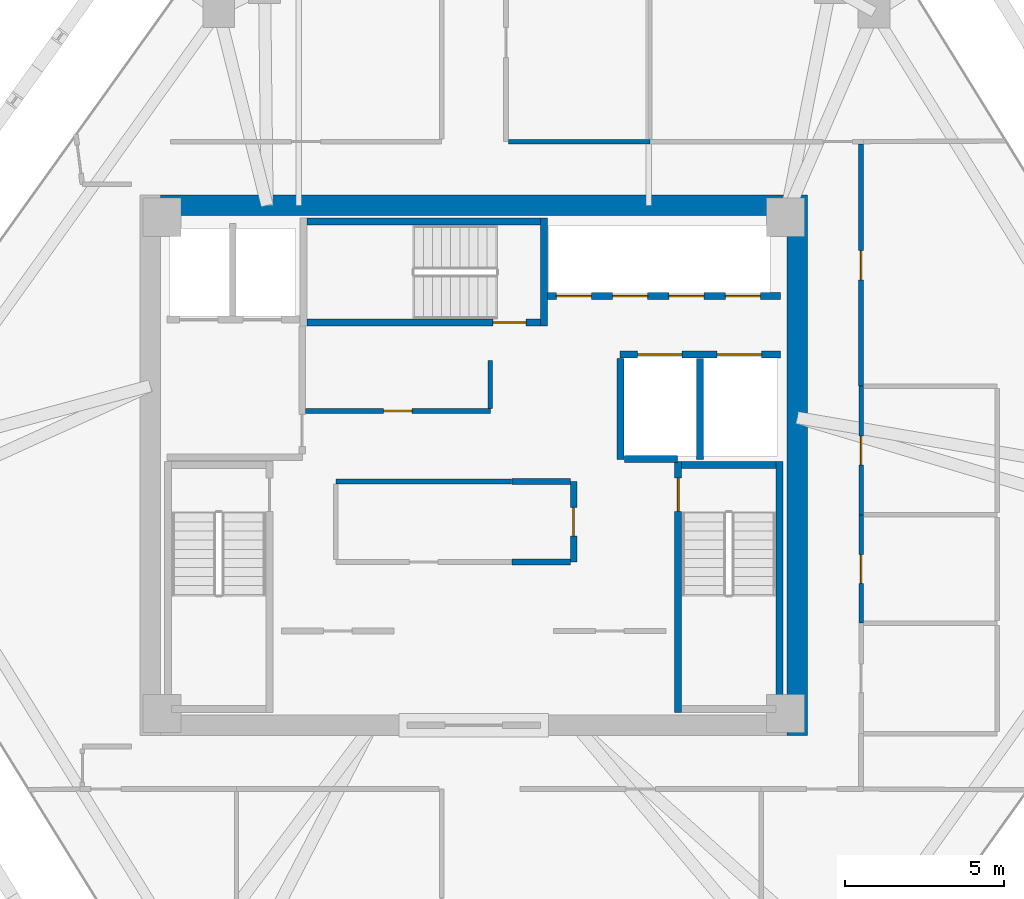
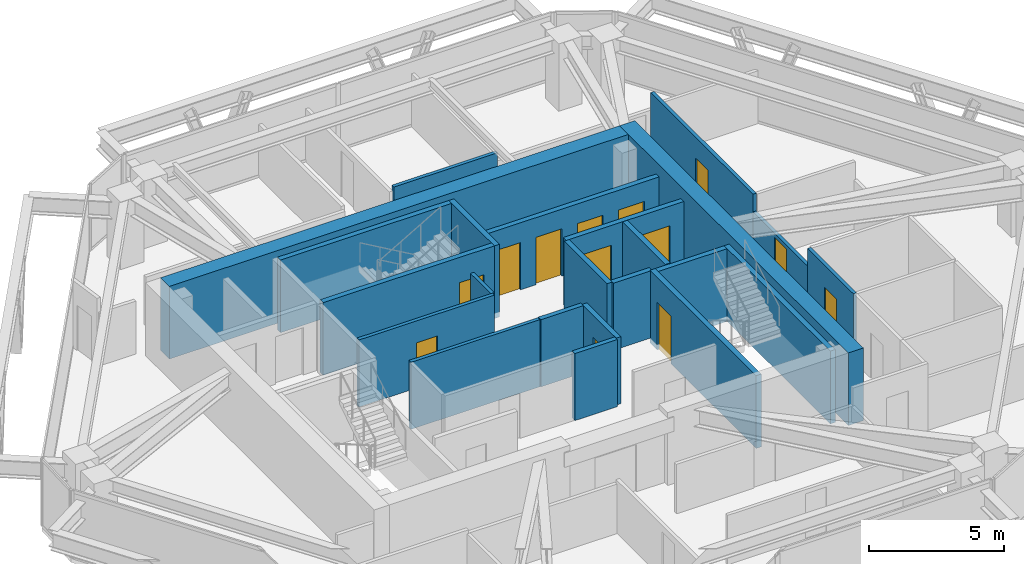
# One storey, part 9 of 11: 23 walls, 13 doors, 13 openings.
"""IFC4 building model written with IfcOpenShell, lengths in metres."""

from ifc_helpers import new_model, si_unit, direction, frame, frame_2d, origin, place, context, subcontext, project, spatial, rectangle, extrude, source, transform, mapped, material, layer, layer_set, type_object, type_shapes, element, fill, save


model = new_model("IFC4")

# Units and contexts
model_context = context("Model", 3, precision=1e-05, world=origin(), true_north=direction((0.0, 1.0)))
body_context = subcontext(model_context, "Body", "Model", "MODEL_VIEW")
ifc_project = project(units=[si_unit("LENGTHUNIT", "METRE"), si_unit("AREAUNIT", "SQUARE_METRE"), si_unit("VOLUMEUNIT", "CUBIC_METRE"), si_unit("PLANEANGLEUNIT", "RADIAN"), si_unit("MASSUNIT", "GRAM", prefix="KILO")], contexts=[model_context])

# Site, building, storey
site_placement = place(None, origin())
site = spatial("IfcSite", under=ifc_project, at=site_placement, CompositionType="ELEMENT")
building_placement = place(site_placement, origin())
building = spatial("IfcBuilding", under=site, at=building_placement, Name="Durnholm Broadcast Tower", CompositionType="ELEMENT")
storey_placement = place(building_placement, frame((0.0, 0.0, 196.89990234375)))
storey = spatial("IfcBuildingStorey", under=building, at=storey_placement, Name="L54", CompositionType="ELEMENT", Elevation=196.89990234375)

# Walls
ifc_material_1 = material(Name="Concrete C70/85", Category="concrete")
ifc_layer_1 = layer(ifc_material_1, 0.64990234375)
ifc_layer_set_1 = layer_set([ifc_layer_1], Name="Concrete C70/85")
wall_type_1 = type_object("IfcWallType", Name="WALL-CW-650", PredefinedType="SHEAR", material=ifc_layer_set_1)
wall_1_placement = place(storey_placement, frame((10.175048828125, -8.5, 0.0), z_axis=(0.0, 0.0, 1.0), x_axis=(0.0, 1.0, 0.0)))
element("IfcWall", 1, at=wall_1_placement, inside=storey, type_object=wall_type_1, Name="L54 central core shear wall CW-EAST", PredefinedType="SHEAR", context=body_context, shape_type="SweptSolid", body=[
    extrude(rectangle(XDim=17.0, YDim=0.64990234375, at=frame_2d((8.5, 0.0))), origin(), (0.0, 0.0, 1.0), 3.300048828125),
])
wall_2_placement = place(storey_placement, frame((-9.85009765625, 8.175048828125, 0.0), z_axis=(0.0, 0.0, 1.0), x_axis=(1.0, 0.0, 0.0)))
element("IfcWall", 2, at=wall_2_placement, inside=storey, type_object=wall_type_1, Name="L54 central core shear wall CW-N", PredefinedType="SHEAR", context=body_context, shape_type="SweptSolid", body=[
    extrude(rectangle(XDim=19.7001953125, YDim=0.64990234375, at=frame_2d((9.85009765625, 0.0))), origin(), (0.0, 0.0, 1.0), 3.300048828125),
])

# Wall, opening, door
ifc_material_2 = material(Name="Fire-Rated Gypsum Shaftwall", Category="concrete")
ifc_layer_2 = layer(ifc_material_2, 0.199951171875)
ifc_layer_set_2 = layer_set([ifc_layer_2], Name="Fire-Rated Gypsum Shaftwall")
wall_type_2 = type_object("IfcWallType", Name="WALL-LOB-200", PredefinedType="SOLIDWALL", material=ifc_layer_set_2)
wall_3_placement = place(storey_placement, frame((3.139892578125, -0.510009765625, 0.0), z_axis=(0.0, 0.0, 1.0), x_axis=(0.0, -1.0, 0.0)))
wall_3 = element("IfcWall", 3, at=wall_3_placement, inside=storey, type_object=wall_type_2, Name="L54 Core IT Telecom Room corridor partition", PredefinedType="SOLIDWALL", context=body_context, shape_type="SweptSolid", body=[
    extrude(rectangle(XDim=2.530029296875, YDim=0.199951171875, at=frame_2d((1.26513671875, 0.0))), origin(), (0.0, 0.0, 1.0), 3.045166015625),
])
opening_1_placement = place(wall_3_placement, frame((0.81494140625, 0.0, 0.0)))
opening_1 = element("IfcOpeningElement", 4, at=opening_1_placement, cuts=wall_3, Name="Opening DC-60L", PredefinedType="OPENING", context=body_context, shape_type="SweptSolid", body=[
    extrude(rectangle(XDim=0.89990234375, YDim=2.050048828125, at=frame_2d((0.449951171875, 1.02490234375))), frame((0.0, 0.10986328125, 0.0), z_axis=(0.0, -1.0, 0.0), x_axis=(1.0, 0.0, 0.0)), (0.0, 0.0, 1.0), 0.219970703125),
])
ifc_material_3 = material(Name="Fire-Rated Core Service Door", Category="steel")
ifc_layer_3 = layer(ifc_material_3, 0.050048828125)
ifc_layer_set_3 = layer_set([ifc_layer_3], Name="Fire-Rated Core Service Door")
door_type_1 = type_object("IfcDoorType", Name="DOOR-CORE-FD60-L", OperationType="NOTDEFINED", PredefinedType="DOOR", material=ifc_layer_set_3)
shared_shape_1 = source(origin(), body_context, "Body", "SweptSolid", [
    extrude(rectangle(XDim=0.89990234375, YDim=2.050048828125, at=frame_2d((0.449951171875, 1.02490234375))), frame((0.0, 0.02490234375, 0.0), z_axis=(0.0, -1.0, 0.0), x_axis=(1.0, 0.0, 0.0)), (0.0, 0.0, 1.0), 0.050048828125),
])
type_shapes(door_type_1, [shared_shape_1])
door_1_placement = place(opening_1_placement, origin())
door_1 = element("IfcDoor", 5, at=door_1_placement, inside=storey, type_object=door_type_1, Name="L54 Core IT Telecom Room entrance door", OperationType="SINGLE_SWING_LEFT", OverallHeight=2.050048828125, OverallWidth=0.89990234375, PredefinedType="DOOR", context=body_context, shape_type="MappedRepresentation", body=[
    mapped(shared_shape_1, transform((0.0, 0.0, 0.0), x_axis=(1.0, 0.0, 0.0), y_axis=(0.0, 1.0, 0.0), z_axis=(0.0, 0.0, 1.0), scale=1.0)),
])
fill(opening_1, door_1)

# Walls
for number, where, z_axis, x_axis, name in (
    (6, (3.035888671875, -3.0400390625, 0.0), (0.0, 0.0, 1.0), (-1.0, 0.0, 0.0), "L54 Core IT Telecom Room corridor partition"),
    (7, (1.2099609375, -0.510009765625, 0.0), (0.0, 0.0, 1.0), (1.0, 0.0, 0.0), "L54 Core IT Telecom Room corridor partition"),
):
    element("IfcWall", number, at=place(storey_placement, frame(where, z_axis=z_axis, x_axis=x_axis)), inside=storey, type_object=wall_type_2, Name=name, PredefinedType="SOLIDWALL", context=body_context, shape_type="SweptSolid", body=[
        extrude(rectangle(XDim=1.825927734375, YDim=0.199951171875, at=frame_2d((0.9130859375, 0.0))), origin(), (0.0, 0.0, 1.0), 3.045166015625),
    ])
ifc_material_4 = material(Name="Acoustic Gypsum Stud Partition", Category="concrete")
ifc_layer_4 = layer(ifc_material_4, 0.14990234375)
ifc_layer_set_4 = layer_set([ifc_layer_4], Name="Acoustic Gypsum Stud Partition")
wall_type_3 = type_object("IfcWallType", Name="WALL-PART-150", PredefinedType="PARTITIONING", material=ifc_layer_set_4)
wall_4_placement = place(storey_placement, frame((-4.340087890625, -0.510009765625, 0.0), z_axis=(0.0, 0.0, 1.0), x_axis=(1.0, 0.0, 0.0)))
element("IfcWall", 8, at=wall_4_placement, inside=storey, type_object=wall_type_3, Name="L54 Broadcast Equipment Store corridor partition", PredefinedType="PARTITIONING", context=body_context, shape_type="SweptSolid", body=[
    extrude(rectangle(XDim=5.530029296875, YDim=0.14990234375, at=frame_2d((2.76513671875, 0.0))), origin(), (0.0, 0.0, 1.0), 3.045166015625),
])

# Wall, opening, door
wall_5_placement = place(storey_placement, frame((0.52001953125, 1.7099609375, 0.0), z_axis=(0.0, 0.0, 1.0), x_axis=(-1.0, 0.0, 0.0)))
wall_5 = element("IfcWall", 9, at=wall_5_placement, inside=storey, type_object=wall_type_3, Name="L54 Core Housekeeping Room corridor partition", PredefinedType="PARTITIONING", context=body_context, shape_type="SweptSolid", body=[
    extrude(rectangle(XDim=5.81591796875, YDim=0.14990234375, at=frame_2d((2.907958984375, 0.0))), origin(), (0.0, 0.0, 1.0), 3.045166015625),
])
opening_2_placement = place(wall_5_placement, frame((2.4580078125, 0.0, 0.0)))
opening_2 = element("IfcOpeningElement", 10, at=opening_2_placement, cuts=wall_5, Name="Opening DC-60R", PredefinedType="OPENING", context=body_context, shape_type="SweptSolid", body=[
    extrude(rectangle(XDim=0.89990234375, YDim=2.050048828125, at=frame_2d((0.449951171875, 1.02490234375))), frame((0.0, 0.0849609375, 0.0), z_axis=(0.0, -1.0, 0.0), x_axis=(1.0, 0.0, 0.0)), (0.0, 0.0, 1.0), 0.169921875),
])
ifc_layer_5 = layer(ifc_material_3, 0.050048828125)
ifc_layer_set_5 = layer_set([ifc_layer_5], Name="Fire-Rated Core Service Door")
door_type_2 = type_object("IfcDoorType", Name="DOOR-CORE-FD60-R", OperationType="NOTDEFINED", PredefinedType="DOOR", material=ifc_layer_set_5)
shared_shape_2 = source(origin(), body_context, "Body", "SweptSolid", [
    extrude(rectangle(XDim=0.89990234375, YDim=2.050048828125, at=frame_2d((0.449951171875, 1.02490234375))), frame((0.0, 0.02490234375, 0.0), z_axis=(0.0, -1.0, 0.0), x_axis=(1.0, 0.0, 0.0)), (0.0, 0.0, 1.0), 0.050048828125),
])
type_shapes(door_type_2, [shared_shape_2])
door_2_placement = place(opening_2_placement, origin())
door_2 = element("IfcDoor", 11, at=door_2_placement, inside=storey, type_object=door_type_2, Name="L54 Core Housekeeping Room entrance door", OperationType="SINGLE_SWING_RIGHT", OverallHeight=2.050048828125, OverallWidth=0.89990234375, PredefinedType="DOOR", context=body_context, shape_type="MappedRepresentation", body=[
    mapped(shared_shape_2, transform((0.0, 0.0, 0.0), x_axis=(1.0, 0.0, 0.0), y_axis=(0.0, 1.0, 0.0), z_axis=(0.0, 0.0, 1.0), scale=1.0)),
])
fill(opening_2, door_2)

# Walls
wall_6_placement = place(storey_placement, frame((0.52001953125, 3.300048828125, 0.0), z_axis=(0.0, 0.0, 1.0), x_axis=(0.0, -1.0, 0.0)))
element("IfcWall", 12, at=wall_6_placement, inside=storey, type_object=wall_type_3, Name="L54 Core Housekeeping Room corridor partition", PredefinedType="PARTITIONING", context=body_context, shape_type="SweptSolid", body=[
    extrude(rectangle(XDim=1.510986328125, YDim=0.14990234375, at=frame_2d((0.75537109375, 0.0))), origin(), (0.0, 0.0, 1.0), 3.045166015625),
])
wall_7_placement = place(storey_placement, frame((5.5400390625, 10.179931640625, 0.0), z_axis=(0.0, 0.0, 1.0), x_axis=(-1.0, 0.0, 0.0)))
element("IfcWall", 13, at=wall_7_placement, inside=storey, type_object=wall_type_3, Name="L54 Brand Review Lounge 2 corridor partition", PredefinedType="PARTITIONING", context=body_context, shape_type="SweptSolid", body=[
    extrude(rectangle(XDim=4.450927734375, YDim=0.14990234375, at=frame_2d((2.2255859375, 0.0))), origin(), (0.0, 0.0, 1.0), 2.6083984375),
])

# Wall, opening, door
wall_8_placement = place(storey_placement, frame((12.179931640625, 2.489990234375, 0.0), z_axis=(0.0, 0.0, 1.0), x_axis=(0.0, 1.0, 0.0)))
wall_8 = element("IfcWall", 14, at=wall_8_placement, inside=storey, type_object=wall_type_3, Name="L54 Typography Meeting Room 2 corridor partition", PredefinedType="PARTITIONING", context=body_context, shape_type="SweptSolid", body=[
    extrude(rectangle(XDim=7.611083984375, YDim=0.14990234375, at=frame_2d((3.8056640625, 0.0))), origin(), (0.0, 0.0, 1.0), 3.045166015625),
])
opening_3_placement = place(wall_8_placement, frame((3.345458984375, 0.0, 0.0)))
opening_3 = element("IfcOpeningElement", 15, at=opening_3_placement, cuts=wall_8, Name="Opening DR-92R", PredefinedType="OPENING", context=body_context, shape_type="SweptSolid", body=[
    extrude(rectangle(XDim=0.919921875, YDim=2.10009765625, at=frame_2d((0.4599609375, 1.050048828125))), frame((0.0, 0.0849609375, 0.0), z_axis=(0.0, -1.0, 0.0), x_axis=(1.0, 0.0, 0.0)), (0.0, 0.0, 1.0), 0.169921875),
])
ifc_material_5 = material(Name="Oak Veneer Office Door", Category="wood")
ifc_layer_6 = layer(ifc_material_5, 0.050048828125)
ifc_layer_set_6 = layer_set([ifc_layer_6], Name="Oak Veneer Office Door")
door_type_3 = type_object("IfcDoorType", Name="DOOR-RM-920R", OperationType="NOTDEFINED", PredefinedType="DOOR", material=ifc_layer_set_6)
shared_shape_3 = source(origin(), body_context, "Body", "SweptSolid", [
    extrude(rectangle(XDim=0.919921875, YDim=2.10009765625, at=frame_2d((0.4599609375, 1.050048828125))), frame((0.0, 0.02490234375, 0.0), z_axis=(0.0, -1.0, 0.0), x_axis=(1.0, 0.0, 0.0)), (0.0, 0.0, 1.0), 0.050048828125),
])
type_shapes(door_type_3, [shared_shape_3])
door_3_placement = place(opening_3_placement, origin())
door_3 = element("IfcDoor", 16, at=door_3_placement, inside=storey, type_object=door_type_3, Name="L54 Typography Meeting Room 2 entrance door", OperationType="SINGLE_SWING_RIGHT", OverallHeight=2.10009765625, OverallWidth=0.919921875, PredefinedType="DOOR", context=body_context, shape_type="MappedRepresentation", body=[
    mapped(shared_shape_3, transform((0.0, 0.0, 0.0), x_axis=(1.0, 0.0, 0.0), y_axis=(0.0, 1.0, 0.0), z_axis=(0.0, 0.0, 1.0), scale=1.0)),
])
fill(opening_3, door_3)

# Wall, openings, doors
ifc_material_6 = material(Name="Concrete Blockwork C30/37", Category="masonry")
ifc_layer_7 = layer(ifc_material_6, 0.219970703125)
ifc_layer_set_7 = layer_set([ifc_layer_7], Name="Concrete Blockwork C30/37")
wall_type_4 = type_object("IfcWallType", Name="WALL-SHAFT-220", PredefinedType="SOLIDWALL", material=ifc_layer_set_7)
wall_9_placement = place(storey_placement, frame((4.60009765625, 3.47998046875, 0.0), z_axis=(0.0, 0.0, 1.0), x_axis=(1.0, 0.0, 0.0)))
wall_9 = element("IfcWall", 17, at=wall_9_placement, inside=storey, type_object=wall_type_4, Name="L54 freight service lifts north front wall", PredefinedType="SOLIDWALL", context=body_context, shape_type="SweptSolid", body=[
    extrude(rectangle(XDim=5.0498046875, YDim=0.219970703125, at=frame_2d((2.52490234375, 0.0))), origin(), (0.0, 0.0, 1.0), 3.045166015625),
])
opening_4_placement = place(wall_9_placement, frame((0.550048828125, 0.0, 0.0)))
opening_4 = element("IfcOpeningElement", 18, at=opening_4_placement, cuts=wall_9, Name="Opening LD-SVL-2", PredefinedType="OPENING", context=body_context, shape_type="SweptSolid", body=[
    extrude(rectangle(XDim=1.39990234375, YDim=2.14990234375, at=frame_2d((0.699951171875, 1.074951171875))), frame((0.0, 0.1201171875, 0.0), z_axis=(0.0, -1.0, 0.0), x_axis=(1.0, 0.0, 0.0)), (0.0, 0.0, 1.0), 0.239990234375),
])
opening_5_placement = place(wall_9_placement, frame((3.050048828125, 0.0, 0.0)))
opening_5 = element("IfcOpeningElement", 19, at=opening_5_placement, cuts=wall_9, Name="Opening LD-SVL-1", PredefinedType="OPENING", context=body_context, shape_type="SweptSolid", body=[
    extrude(rectangle(XDim=1.39990234375, YDim=2.14990234375, at=frame_2d((0.699951171875, 1.074951171875))), frame((0.0, 0.1201171875, 0.0), z_axis=(0.0, -1.0, 0.0), x_axis=(1.0, 0.0, 0.0)), (0.0, 0.0, 1.0), 0.239990234375),
])
ifc_material_7 = material(Name="Freight Elevator Bi-Parting Sliding Landing Door", Category="steel")
ifc_layer_8 = layer(ifc_material_7, 0.050048828125)
ifc_layer_set_8 = layer_set([ifc_layer_8], Name="Freight Elevator Bi-Parting Sliding Landing Door")
door_type_4 = type_object("IfcDoorType", Name="DOOR-LIFT-SVL", OperationType="DOUBLE_DOOR_SLIDING", PredefinedType="DOOR", material=ifc_layer_set_8)
shared_shape_4 = source(origin(), body_context, "Body", "SweptSolid", [
    extrude(rectangle(XDim=1.39990234375, YDim=2.14990234375, at=frame_2d((0.699951171875, 1.074951171875))), frame((0.0, 0.02490234375, 0.0), z_axis=(0.0, -1.0, 0.0), x_axis=(1.0, 0.0, 0.0)), (0.0, 0.0, 1.0), 0.050048828125),
])
type_shapes(door_type_4, [shared_shape_4])
door_4_placement = place(opening_4_placement, origin())
door_4 = element("IfcDoor", 20, at=door_4_placement, inside=storey, type_object=door_type_4, Name="L54 freight service elevator SVL-2 sliding landing door", OperationType="DOUBLE_DOOR_SLIDING", OverallHeight=2.14990234375, OverallWidth=1.39990234375, PredefinedType="DOOR", context=body_context, shape_type="MappedRepresentation", body=[
    mapped(shared_shape_4, transform((0.0, 0.0, 0.0), x_axis=(1.0, 0.0, 0.0), y_axis=(0.0, 1.0, 0.0), z_axis=(0.0, 0.0, 1.0), scale=1.0)),
])
fill(opening_4, door_4)
door_5_placement = place(opening_5_placement, origin())
door_5 = element("IfcDoor", 21, at=door_5_placement, inside=storey, type_object=door_type_4, Name="L54 freight service elevator SVL-1 sliding landing door", OperationType="DOUBLE_DOOR_SLIDING", OverallHeight=2.14990234375, OverallWidth=1.39990234375, PredefinedType="DOOR", context=body_context, shape_type="MappedRepresentation", body=[
    mapped(shared_shape_4, transform((0.0, 0.0, 0.0), x_axis=(1.0, 0.0, 0.0), y_axis=(0.0, 1.0, 0.0), z_axis=(0.0, 0.0, 1.0), scale=1.0)),
])
fill(opening_5, door_5)

# Walls
for number, where, z_axis, x_axis, name in (
    (22, (4.6201171875, 0.179931640625, 0.0), (0.0, 0.0, 1.0), (0.0, 1.0, 0.0), "L54 freight service lift SVL-2 west wall"),
    (23, (7.1201171875, 0.179931640625, 0.0), (0.0, 0.0, 1.0), (0.0, 1.0, 0.0), "L54 freight service lifts divider wall"),
):
    element("IfcWall", number, at=place(storey_placement, frame(where, z_axis=z_axis, x_axis=x_axis)), inside=storey, type_object=wall_type_4, Name=name, PredefinedType="SOLIDWALL", context=body_context, shape_type="SweptSolid", body=[
        extrude(rectangle(XDim=3.18603515625, YDim=0.219970703125, at=frame_2d((1.593017578125, 0.0))), origin(), (0.0, 0.0, 1.0), 3.045166015625),
    ])
wall_10_placement = place(storey_placement, frame((4.73388671875, 0.199951171875, 0.0), z_axis=(0.0, 0.0, 1.0), x_axis=(1.0, 0.0, 0.0)))
element("IfcWall", 24, at=wall_10_placement, inside=storey, type_object=wall_type_4, Name="L54 freight service lift SVL-2 south wall", PredefinedType="SOLIDWALL", context=body_context, shape_type="SweptSolid", body=[
    extrude(rectangle(XDim=1.666015625, YDim=0.219970703125, at=frame_2d((0.8330078125, 0.0))), origin(), (0.0, 0.0, 1.0), 3.045166015625),
])

# Wall, openings, doors
wall_11_placement = place(storey_placement, frame((2.324951171875, 5.320068359375, 0.0), z_axis=(0.0, 0.0, 1.0), x_axis=(1.0, 0.0, 0.0)))
wall_11 = element("IfcWall", 25, at=wall_11_placement, inside=storey, type_object=wall_type_4, Name="L54 high-rise bank P3 south front wall", PredefinedType="SOLIDWALL", context=body_context, shape_type="SweptSolid", body=[
    extrude(rectangle(XDim=7.324951171875, YDim=0.219970703125, at=frame_2d((3.66259765625, 0.0))), origin(), (0.0, 0.0, 1.0), 3.045166015625),
])
opening_6_placement = place(wall_11_placement, frame((0.27490234375, 0.0, 0.0)))
opening_6 = element("IfcOpeningElement", 26, at=opening_6_placement, cuts=wall_11, Name="Opening LD-LP3-1", PredefinedType="OPENING", context=body_context, shape_type="SweptSolid", body=[
    extrude(rectangle(XDim=1.10009765625, YDim=2.14990234375, at=frame_2d((0.550048828125, 1.074951171875))), frame((0.0, 0.1201171875, 0.0), z_axis=(0.0, -1.0, 0.0), x_axis=(1.0, 0.0, 0.0)), (0.0, 0.0, 1.0), 0.239990234375),
])
opening_7_placement = place(wall_11_placement, frame((2.044921875, 0.0, 0.0)))
opening_7 = element("IfcOpeningElement", 27, at=opening_7_placement, cuts=wall_11, Name="Opening LD-LP3-2", PredefinedType="OPENING", context=body_context, shape_type="SweptSolid", body=[
    extrude(rectangle(XDim=1.10009765625, YDim=2.14990234375, at=frame_2d((0.550048828125, 1.074951171875))), frame((0.0, 0.1201171875, 0.0), z_axis=(0.0, -1.0, 0.0), x_axis=(1.0, 0.0, 0.0)), (0.0, 0.0, 1.0), 0.239990234375),
])
opening_8_placement = place(wall_11_placement, frame((3.81494140625, 0.0, 0.0)))
opening_8 = element("IfcOpeningElement", 28, at=opening_8_placement, cuts=wall_11, Name="Opening LD-LP3-3", PredefinedType="OPENING", context=body_context, shape_type="SweptSolid", body=[
    extrude(rectangle(XDim=1.10009765625, YDim=2.14990234375, at=frame_2d((0.550048828125, 1.074951171875))), frame((0.0, 0.1201171875, 0.0), z_axis=(0.0, -1.0, 0.0), x_axis=(1.0, 0.0, 0.0)), (0.0, 0.0, 1.0), 0.239990234375),
])
opening_9_placement = place(wall_11_placement, frame((5.5849609375, 0.0, 0.0)))
opening_9 = element("IfcOpeningElement", 29, at=opening_9_placement, cuts=wall_11, Name="Opening LD-LP3-4", PredefinedType="OPENING", context=body_context, shape_type="SweptSolid", body=[
    extrude(rectangle(XDim=1.10009765625, YDim=2.14990234375, at=frame_2d((0.550048828125, 1.074951171875))), frame((0.0, 0.1201171875, 0.0), z_axis=(0.0, -1.0, 0.0), x_axis=(1.0, 0.0, 0.0)), (0.0, 0.0, 1.0), 0.239990234375),
])
ifc_material_8 = material(Name="Stainless Steel Sliding Elevator Landing Door", Category="steel")
ifc_layer_9 = layer(ifc_material_8, 0.050048828125)
ifc_layer_set_9 = layer_set([ifc_layer_9], Name="Stainless Steel Sliding Elevator Landing Door")
door_type_5 = type_object("IfcDoorType", Name="DOOR-LIFT-PAX", OperationType="DOUBLE_DOOR_SLIDING", PredefinedType="DOOR", material=ifc_layer_set_9)
shared_shape_5 = source(origin(), body_context, "Body", "SweptSolid", [
    extrude(rectangle(XDim=1.10009765625, YDim=2.14990234375, at=frame_2d((0.550048828125, 1.074951171875))), frame((0.0, 0.02490234375, 0.0), z_axis=(0.0, -1.0, 0.0), x_axis=(1.0, 0.0, 0.0)), (0.0, 0.0, 1.0), 0.050048828125),
])
type_shapes(door_type_5, [shared_shape_5])
door_6_placement = place(opening_6_placement, origin())
door_6 = element("IfcDoor", 30, at=door_6_placement, inside=storey, type_object=door_type_5, Name="L54 high-rise elevator LP3-1 sliding landing door", OperationType="DOUBLE_DOOR_SLIDING", OverallHeight=2.14990234375, OverallWidth=1.10009765625, PredefinedType="DOOR", context=body_context, shape_type="MappedRepresentation", body=[
    mapped(shared_shape_5, transform((0.0, 0.0, 0.0), x_axis=(1.0, 0.0, 0.0), y_axis=(0.0, 1.0, 0.0), z_axis=(0.0, 0.0, 1.0), scale=1.0)),
])
fill(opening_6, door_6)
door_7_placement = place(opening_7_placement, origin())
door_7 = element("IfcDoor", 31, at=door_7_placement, inside=storey, type_object=door_type_5, Name="L54 high-rise elevator LP3-2 sliding landing door", OperationType="DOUBLE_DOOR_SLIDING", OverallHeight=2.14990234375, OverallWidth=1.10009765625, PredefinedType="DOOR", context=body_context, shape_type="MappedRepresentation", body=[
    mapped(shared_shape_5, transform((0.0, 0.0, 0.0), x_axis=(1.0, 0.0, 0.0), y_axis=(0.0, 1.0, 0.0), z_axis=(0.0, 0.0, 1.0), scale=1.0)),
])
fill(opening_7, door_7)
door_8_placement = place(opening_8_placement, origin())
door_8 = element("IfcDoor", 32, at=door_8_placement, inside=storey, type_object=door_type_5, Name="L54 high-rise elevator LP3-3 sliding landing door", OperationType="DOUBLE_DOOR_SLIDING", OverallHeight=2.14990234375, OverallWidth=1.10009765625, PredefinedType="DOOR", context=body_context, shape_type="MappedRepresentation", body=[
    mapped(shared_shape_5, transform((0.0, 0.0, 0.0), x_axis=(1.0, 0.0, 0.0), y_axis=(0.0, 1.0, 0.0), z_axis=(0.0, 0.0, 1.0), scale=1.0)),
])
fill(opening_8, door_8)
door_9_placement = place(opening_9_placement, origin())
door_9 = element("IfcDoor", 33, at=door_9_placement, inside=storey, type_object=door_type_5, Name="L54 high-rise elevator LP3-4 sliding landing door", OperationType="DOUBLE_DOOR_SLIDING", OverallHeight=2.14990234375, OverallWidth=1.10009765625, PredefinedType="DOOR", context=body_context, shape_type="MappedRepresentation", body=[
    mapped(shared_shape_5, transform((0.0, 0.0, 0.0), x_axis=(1.0, 0.0, 0.0), y_axis=(0.0, 1.0, 0.0), z_axis=(0.0, 0.0, 1.0), scale=1.0)),
])
fill(opening_9, door_9)

# Wall
ifc_material_9 = material(Name="Concrete C50/60", Category="concrete")
ifc_layer_10 = layer(ifc_material_9, 0.219970703125)
ifc_layer_set_10 = layer_set([ifc_layer_10], Name="Concrete C50/60")
wall_type_5 = type_object("IfcWallType", Name="WALL-SW-220", PredefinedType="SHEAR", material=ifc_layer_set_10)
wall_12_placement = place(storey_placement, frame((9.610107421875, -7.77001953125, -0.239990234375), z_axis=(0.0, 0.0, 1.0), x_axis=(0.0, 1.0, 0.0)))
element("IfcWall", 34, at=wall_12_placement, inside=storey, type_object=wall_type_5, Name="L54 stair ST-2 structural shaft wall E", PredefinedType="SHEAR", context=body_context, shape_type="SweptSolid", body=[
    extrude(rectangle(XDim=7.89013671875, YDim=0.219970703125, at=frame_2d((3.945068359375, 0.0))), origin(), (0.0, 0.0, 1.0), 3.300048828125),
])

# Wall, opening, door
wall_13_placement = place(storey_placement, frame((6.429931640625, 0.1201171875, -0.239990234375), z_axis=(0.0, 0.0, 1.0), x_axis=(0.0, -1.0, 0.0)))
wall_13 = element("IfcWall", 35, at=wall_13_placement, inside=storey, type_object=wall_type_5, Name="L54 stair ST-2 structural shaft wall W", PredefinedType="SHEAR", context=body_context, shape_type="SweptSolid", body=[
    extrude(rectangle(XDim=7.89013671875, YDim=0.219970703125, at=frame_2d((3.945068359375, 0.0))), origin(), (0.0, 0.0, 1.0), 3.300048828125),
])
opening_10_placement = place(wall_13_placement, frame((0.52001953125, 0.0, 0.0)))
opening_10 = element("IfcOpeningElement", 36, at=opening_10_placement, cuts=wall_13, Name="Opening DS-90R", PredefinedType="OPENING", context=body_context, shape_type="SweptSolid", body=[
    extrude(rectangle(XDim=1.050048828125, YDim=2.14990234375, at=frame_2d((0.52490234375, 1.074951171875))), frame((0.0, 0.1201171875, 0.0), z_axis=(0.0, -1.0, 0.0), x_axis=(1.0, 0.0, 0.0)), (0.0, 0.0, 1.0), 0.239990234375),
])
ifc_material_10 = material(Name="Fire-Rated Steel Door", Category="steel")
ifc_layer_11 = layer(ifc_material_10, 0.050048828125)
ifc_layer_set_11 = layer_set([ifc_layer_11], Name="Fire-Rated Steel Door")
door_type_6 = type_object("IfcDoorType", Name="DOOR-ST-FD90-R", OperationType="NOTDEFINED", PredefinedType="DOOR", material=ifc_layer_set_11)
shared_shape_6 = source(origin(), body_context, "Body", "SweptSolid", [
    extrude(rectangle(XDim=1.050048828125, YDim=2.14990234375, at=frame_2d((0.52490234375, 1.074951171875))), frame((0.0, 0.02490234375, 0.0), z_axis=(0.0, -1.0, 0.0), x_axis=(1.0, 0.0, 0.0)), (0.0, 0.0, 1.0), 0.050048828125),
])
type_shapes(door_type_6, [shared_shape_6])
door_10_placement = place(opening_10_placement, origin())
door_10 = element("IfcDoor", 37, at=door_10_placement, inside=storey, type_object=door_type_6, Name="L54 exit stair ST-2 fire door", OperationType="SINGLE_SWING_RIGHT", OverallHeight=2.14990234375, OverallWidth=1.050048828125, PredefinedType="DOOR", context=body_context, shape_type="MappedRepresentation", body=[
    mapped(shared_shape_6, transform((0.0, 0.0, 0.0), x_axis=(1.0, 0.0, 0.0), y_axis=(0.0, 1.0, 0.0), z_axis=(0.0, 0.0, 1.0), scale=1.0)),
])
fill(opening_10, door_10)

# Walls
wall_14_placement = place(storey_placement, frame((9.5, 0.010009765625, -0.239990234375), z_axis=(0.0, 0.0, 1.0), x_axis=(-1.0, 0.0, 0.0)))
element("IfcWall", 38, at=wall_14_placement, inside=storey, type_object=wall_type_5, Name="L54 stair ST-2 structural shaft wall N", PredefinedType="SHEAR", context=body_context, shape_type="SweptSolid", body=[
    extrude(rectangle(XDim=2.9599609375, YDim=0.219970703125, at=frame_2d((1.47998046875, 0.0))), origin(), (0.0, 0.0, 1.0), 3.300048828125),
])
wall_15_placement = place(storey_placement, frame((2.2099609375, 4.3798828125, -0.239990234375), z_axis=(0.0, 0.0, 1.0), x_axis=(0.0, 1.0, 0.0)))
element("IfcWall", 39, at=wall_15_placement, inside=storey, type_object=wall_type_5, Name="L54 stair ST-3 structural shaft wall E", PredefinedType="SHEAR", context=body_context, shape_type="SweptSolid", body=[
    extrude(rectangle(XDim=3.400146484375, YDim=0.219970703125, at=frame_2d((1.7001953125, 0.0))), origin(), (0.0, 0.0, 1.0), 3.300048828125),
])

# Wall, opening, door
wall_16_placement = place(storey_placement, frame((-5.25, 4.489990234375, -0.239990234375), z_axis=(0.0, 0.0, 1.0), x_axis=(1.0, 0.0, 0.0)))
wall_16 = element("IfcWall", 40, at=wall_16_placement, inside=storey, type_object=wall_type_5, Name="L54 stair ST-3 structural shaft wall S", PredefinedType="SHEAR", context=body_context, shape_type="SweptSolid", body=[
    extrude(rectangle(XDim=7.35009765625, YDim=0.219970703125, at=frame_2d((3.675048828125, 0.0))), origin(), (0.0, 0.0, 1.0), 3.300048828125),
])
opening_11_placement = place(wall_16_placement, frame((5.85009765625, 0.0, 0.0)))
opening_11 = element("IfcOpeningElement", 41, at=opening_11_placement, cuts=wall_16, Name="Opening DS-90L", PredefinedType="OPENING", context=body_context, shape_type="SweptSolid", body=[
    extrude(rectangle(XDim=1.050048828125, YDim=2.14990234375, at=frame_2d((0.52490234375, 1.074951171875))), frame((0.0, 0.1201171875, 0.0), z_axis=(0.0, -1.0, 0.0), x_axis=(1.0, 0.0, 0.0)), (0.0, 0.0, 1.0), 0.239990234375),
])
ifc_layer_12 = layer(ifc_material_10, 0.050048828125)
ifc_layer_set_12 = layer_set([ifc_layer_12], Name="Fire-Rated Steel Door")
door_type_7 = type_object("IfcDoorType", Name="DOOR-ST-FD90-L", OperationType="NOTDEFINED", PredefinedType="DOOR", material=ifc_layer_set_12)
shared_shape_7 = source(origin(), body_context, "Body", "SweptSolid", [
    extrude(rectangle(XDim=1.050048828125, YDim=2.14990234375, at=frame_2d((0.52490234375, 1.074951171875))), frame((0.0, 0.02490234375, 0.0), z_axis=(0.0, -1.0, 0.0), x_axis=(1.0, 0.0, 0.0)), (0.0, 0.0, 1.0), 0.050048828125),
])
type_shapes(door_type_7, [shared_shape_7])
door_11_placement = place(opening_11_placement, origin())
door_11 = element("IfcDoor", 42, at=door_11_placement, inside=storey, type_object=door_type_7, Name="L54 exit stair ST-3 fire door", OperationType="SINGLE_SWING_LEFT", OverallHeight=2.14990234375, OverallWidth=1.050048828125, PredefinedType="DOOR", context=body_context, shape_type="MappedRepresentation", body=[
    mapped(shared_shape_7, transform((0.0, 0.0, 0.0), x_axis=(1.0, 0.0, 0.0), y_axis=(0.0, 1.0, 0.0), z_axis=(0.0, 0.0, 1.0), scale=1.0)),
])
fill(opening_11, door_11)

# Wall
wall_17_placement = place(storey_placement, frame((2.10009765625, 7.669921875, -0.239990234375), z_axis=(0.0, 0.0, 1.0), x_axis=(-1.0, 0.0, 0.0)))
element("IfcWall", 43, at=wall_17_placement, inside=storey, type_object=wall_type_5, Name="L54 stair ST-3 structural shaft wall N", PredefinedType="SHEAR", context=body_context, shape_type="SweptSolid", body=[
    extrude(rectangle(XDim=7.35009765625, YDim=0.219970703125, at=frame_2d((3.675048828125, 0.0))), origin(), (0.0, 0.0, 1.0), 3.300048828125),
])

# Wall, opening, door
ifc_material_11 = material(Name="Moisture-Resistant Tile Partition", Category="concrete")
ifc_layer_13 = layer(ifc_material_11, 0.139892578125)
ifc_layer_set_13 = layer_set([ifc_layer_13], Name="Moisture-Resistant Tile Partition")
wall_type_6 = type_object("IfcWallType", Name="WALL-WC-140", PredefinedType="PARTITIONING", material=ifc_layer_set_13)
wall_18_placement = place(storey_placement, frame((12.179931640625, -4.9599609375, 0.0), z_axis=(0.0, 0.0, 1.0), x_axis=(0.0, 1.0, 0.0)))
wall_18 = element("IfcWall", 44, at=wall_18_placement, inside=storey, type_object=wall_type_6, Name="L54 Women's Restroom corridor partition", PredefinedType="PARTITIONING", context=body_context, shape_type="SweptSolid", body=[
    extrude(rectangle(XDim=3.39990234375, YDim=0.139892578125, at=frame_2d((1.699951171875, 0.0))), origin(), (0.0, 0.0, 1.0), 3.045166015625),
])
opening_12_placement = place(wall_18_placement, frame((1.25, 0.0, 0.0)))
opening_12 = element("IfcOpeningElement", 45, at=opening_12_placement, cuts=wall_18, Name="Opening DW-90R", PredefinedType="OPENING", context=body_context, shape_type="SweptSolid", body=[
    extrude(rectangle(XDim=0.89990234375, YDim=2.050048828125, at=frame_2d((0.449951171875, 1.02490234375))), frame((0.0, 0.080078125, 0.0), z_axis=(0.0, -1.0, 0.0), x_axis=(1.0, 0.0, 0.0)), (0.0, 0.0, 1.0), 0.159912109375),
])
ifc_material_12 = material(Name="Laminate Restroom Door", Category="steel")
ifc_layer_14 = layer(ifc_material_12, 0.050048828125)
ifc_layer_set_14 = layer_set([ifc_layer_14], Name="Laminate Restroom Door")
door_type_8 = type_object("IfcDoorType", Name="DOOR-WC-900R", OperationType="NOTDEFINED", PredefinedType="DOOR", material=ifc_layer_set_14)
shared_shape_8 = source(origin(), body_context, "Body", "SweptSolid", [
    extrude(rectangle(XDim=0.89990234375, YDim=2.050048828125, at=frame_2d((0.449951171875, 1.02490234375))), frame((0.0, 0.02490234375, 0.0), z_axis=(0.0, -1.0, 0.0), x_axis=(1.0, 0.0, 0.0)), (0.0, 0.0, 1.0), 0.050048828125),
])
type_shapes(door_type_8, [shared_shape_8])
door_12_placement = place(opening_12_placement, origin())
door_12 = element("IfcDoor", 46, at=door_12_placement, inside=storey, type_object=door_type_8, Name="L54 Women's Restroom entrance door", OperationType="SINGLE_SWING_RIGHT", OverallHeight=2.050048828125, OverallWidth=0.89990234375, PredefinedType="DOOR", context=body_context, shape_type="MappedRepresentation", body=[
    mapped(shared_shape_8, transform((0.0, 0.0, 0.0), x_axis=(1.0, 0.0, 0.0), y_axis=(0.0, 1.0, 0.0), z_axis=(0.0, 0.0, 1.0), scale=1.0)),
])
fill(opening_12, door_12)

wall_19_placement = place(storey_placement, frame((12.179931640625, -1.56005859375, 0.0), z_axis=(0.0, 0.0, 1.0), x_axis=(0.0, 1.0, 0.0)))
wall_19 = element("IfcWall", 47, at=wall_19_placement, inside=storey, type_object=wall_type_6, Name="L54 Accessible Restroom corridor partition", PredefinedType="PARTITIONING", context=body_context, shape_type="SweptSolid", body=[
    extrude(rectangle(XDim=4.050048828125, YDim=0.139892578125, at=frame_2d((2.02490234375, 0.0))), origin(), (0.0, 0.0, 1.0), 2.241943359375),
])
opening_13_placement = place(wall_19_placement, frame((1.574951171875, 0.0, 0.0)))
opening_13 = element("IfcOpeningElement", 48, at=opening_13_placement, cuts=wall_19, Name="Opening DW-90L", PredefinedType="OPENING", context=body_context, shape_type="SweptSolid", body=[
    extrude(rectangle(XDim=0.89990234375, YDim=2.050048828125, at=frame_2d((0.449951171875, 1.02490234375))), frame((0.0, 0.080078125, 0.0), z_axis=(0.0, -1.0, 0.0), x_axis=(1.0, 0.0, 0.0)), (0.0, 0.0, 1.0), 0.159912109375),
])
ifc_layer_15 = layer(ifc_material_12, 0.050048828125)
ifc_layer_set_15 = layer_set([ifc_layer_15], Name="Laminate Restroom Door")
door_type_9 = type_object("IfcDoorType", Name="DOOR-WC-900L", OperationType="NOTDEFINED", PredefinedType="DOOR", material=ifc_layer_set_15)
shared_shape_9 = source(origin(), body_context, "Body", "SweptSolid", [
    extrude(rectangle(XDim=0.89990234375, YDim=2.050048828125, at=frame_2d((0.449951171875, 1.02490234375))), frame((0.0, 0.02490234375, 0.0), z_axis=(0.0, -1.0, 0.0), x_axis=(1.0, 0.0, 0.0)), (0.0, 0.0, 1.0), 0.050048828125),
])
type_shapes(door_type_9, [shared_shape_9])
door_13_placement = place(opening_13_placement, origin())
door_13 = element("IfcDoor", 49, at=door_13_placement, inside=storey, type_object=door_type_9, Name="L54 Accessible Restroom entrance door", OperationType="SINGLE_SWING_LEFT", OverallHeight=2.050048828125, OverallWidth=0.89990234375, PredefinedType="DOOR", context=body_context, shape_type="MappedRepresentation", body=[
    mapped(shared_shape_9, transform((0.0, 0.0, 0.0), x_axis=(1.0, 0.0, 0.0), y_axis=(0.0, 1.0, 0.0), z_axis=(0.0, 0.0, 1.0), scale=1.0)),
])
fill(opening_13, door_13)

save(model, "model.ifc")
